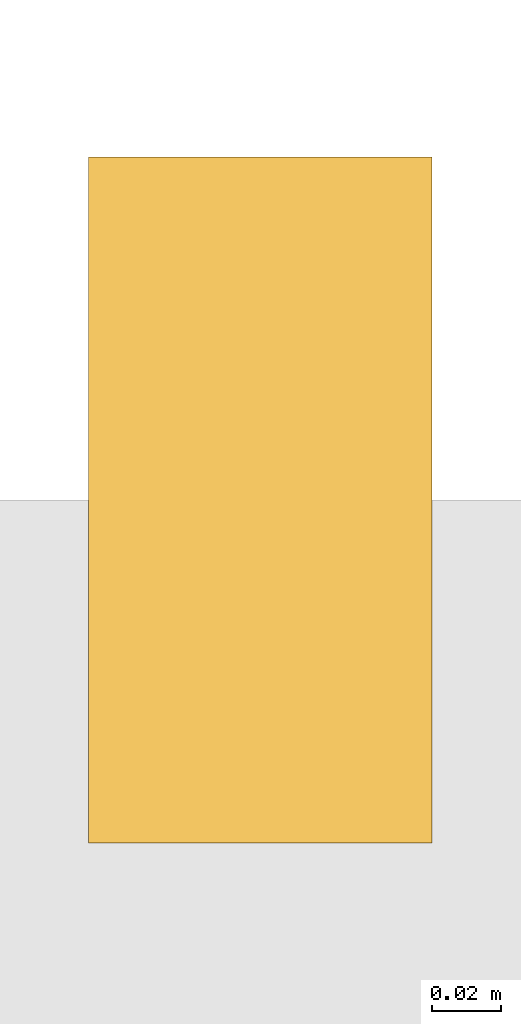
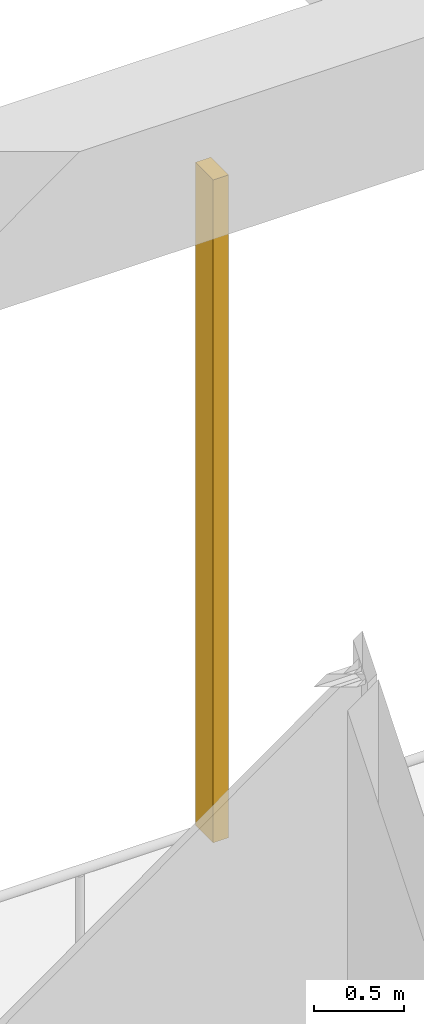
# One storey, part 27 of 32: 1 shading device.
"""IFC4 building model written with IfcOpenShell, lengths in metres."""

import ifcopenshell
import ifcopenshell.guid

model = None  # the IFC model being written
_history = None  # IfcOwnerHistory: only IFC2X3 demands one
_inside = {}  # id of a spatial element -> (the spatial element, [elements in it])
_under = {}  # id of a project, library or spatial element -> (it, [spatial elements below it])
_declared = {}  # id of a project -> (the project, [libraries it declares])
_typed = {}  # id of a type object -> (the type object, [elements of that type])
_made_of = {}  # id of a material, layer set ... -> (it, [elements and type objects made of it])


def new_model(schema):
    """Start an empty IFC model of exactly this schema.

    Asked for "IFC4X3", IfcOpenShell would pick the latest addendum, in which some entities
    have other attributes; the version numbers below select the first issue.
    IFC2X3 requires an IfcOwnerHistory on every rooted entity: one is made here for all.
    """
    global model, _history
    if schema == "IFC4X3":
        model = ifcopenshell.file(schema_version=(4, 3, 0, 0))
    else:
        model = ifcopenshell.file(schema=schema)
    _inside.clear()
    _under.clear()
    _declared.clear()
    _typed.clear()
    _made_of.clear()
    _history = None
    if model.schema == "IFC2X3":
        org = make("IfcOrganization", Name="unknown")
        user = make(
            "IfcPersonAndOrganization",
            ThePerson=make("IfcPerson", FamilyName="unknown"),
            TheOrganization=org,
        )
        app = make(
            "IfcApplication",
            ApplicationDeveloper=org,
            Version="unknown",
            ApplicationFullName="unknown",
            ApplicationIdentifier="unknown",
        )
        _history = make(
            "IfcOwnerHistory",
            OwningUser=user,
            OwningApplication=app,
            ChangeAction="ADDED",
            CreationDate=0,
        )
    return model


def make(cls, **values):
    """One entity of the class cls with the attributes given. An attribute that is None is left unset."""
    return model.create_entity(
        cls, **{name: value for name, value in values.items() if value is not None}
    )


def rooted(cls, **values):
    """An entity with a GlobalId (a new one), such as an element, a storey or a relation."""
    return make(cls, GlobalId=ifcopenshell.guid.new(), OwnerHistory=_history, **values)


def si_unit(unit_type, name, prefix=None):
    """IfcSIUnit, for example si_unit("LENGTHUNIT", "METRE", prefix="MILLI")."""
    return make("IfcSIUnit", UnitType=unit_type, Prefix=prefix, Name=name)


def assignment(units):
    """IfcUnitAssignment: the units of a project."""
    return None if units is None else make("IfcUnitAssignment", Units=units)


def point(xyz):
    """IfcCartesianPoint."""
    return None if xyz is None else make("IfcCartesianPoint", Coordinates=xyz)


def direction(xyz):
    """IfcDirection."""
    return None if xyz is None else make("IfcDirection", DirectionRatios=xyz)


def frame(location, z_axis=None, x_axis=None):
    """IfcAxis2Placement3D, a coordinate frame: its origin and axes. An axis left out is left unset."""
    return make(
        "IfcAxis2Placement3D",
        Location=point(location),
        Axis=direction(z_axis),
        RefDirection=direction(x_axis),
    )


def frame_2d(location, x_axis=None):
    """IfcAxis2Placement2D, a coordinate frame in the plane: its origin and x axis."""
    return make(
        "IfcAxis2Placement2D", Location=point(location), RefDirection=direction(x_axis)
    )


def origin():
    """The frame at (0, 0, 0) with its axes left unset."""
    return frame((0.0, 0.0, 0.0))


def origin_2d():
    """The frame at (0, 0) in the plane with its x axis left unset."""
    return frame_2d((0.0, 0.0))


def place(relative_to, where):
    """IfcLocalPlacement: puts the frame where relative to a parent placement (None: the world)."""
    return make(
        "IfcLocalPlacement", PlacementRelTo=relative_to, RelativePlacement=where
    )


def context(
    kind, dimensions, precision=None, world=None, true_north=None, identifier=None
):
    """IfcGeometricRepresentationContext, for example the 3D "Model" context."""
    return make(
        "IfcGeometricRepresentationContext",
        ContextIdentifier=identifier,
        ContextType=kind,
        CoordinateSpaceDimension=dimensions,
        Precision=precision,
        WorldCoordinateSystem=world,
        TrueNorth=true_north,
    )


def subcontext(parent, identifier, kind, view, scale=None):
    """IfcGeometricRepresentationSubContext, for example "Body" below "Model"."""
    return make(
        "IfcGeometricRepresentationSubContext",
        ContextIdentifier=identifier,
        ContextType=kind,
        ParentContext=parent,
        TargetScale=scale,
        TargetView=view,
    )


def project(units=None, contexts=None):
    """IfcProject with its units and contexts."""
    return rooted(
        "IfcProject",
        Name="project",
        RepresentationContexts=contexts,
        UnitsInContext=assignment(units),
    )


def spatial(cls, under=None, at=None, **own):
    """A site, building, storey or space (cls), placed at a placement, below another one or the project."""
    s = rooted(cls, ObjectPlacement=at, **own)
    if under is not None:
        _under.setdefault(under.id(), (under, []))[1].append(s)
    return s


def profile(cls, at=None, kind="AREA", **sizes):
    """A parametric profile (cls). Its sizes go by their IFC names, for example OverallWidth=200.0."""
    return make(cls, ProfileType=kind, Position=at, **sizes)


def rectangle(**sizes):
    """IfcRectangleProfileDef."""
    return profile("IfcRectangleProfileDef", **sizes)


def extrude(swept, where, along, depth):
    """IfcExtrudedAreaSolid: the profile swept, set in the frame where, extruded along a direction by depth."""
    return make(
        "IfcExtrudedAreaSolid",
        SweptArea=swept,
        Position=where,
        ExtrudedDirection=direction(along),
        Depth=depth,
    )


def shape(context_of_items, identifier, shape_type, items):
    """IfcShapeRepresentation: the items that make up one representation, for example the "Body"."""
    return make(
        "IfcShapeRepresentation",
        ContextOfItems=context_of_items,
        RepresentationIdentifier=identifier,
        RepresentationType=shape_type,
        Items=items,
    )


def material(Name=None, Category=None):
    """IfcMaterial."""
    return make("IfcMaterial", Name=Name, Category=Category)


def material_profile(
    of_material, cross_section, Name=None, Category=None, Priority=None
):
    """IfcMaterialProfile: a cross section and its material."""
    return make(
        "IfcMaterialProfile",
        Name=Name,
        Material=of_material,
        Profile=cross_section,
        Priority=Priority,
        Category=Category,
    )


def profile_set(profiles, Name=None, composite=None):
    """IfcMaterialProfileSet."""
    return make(
        "IfcMaterialProfileSet",
        Name=Name,
        MaterialProfiles=profiles,
        CompositeProfile=composite,
    )


def made_of(thing, what):
    """Note that an element or type object is made of a material, layer set ...; save() writes the relation."""
    if what is not None:
        _made_of.setdefault(what.id(), (what, []))[1].append(thing)
    return thing


def type_object(cls, material=None, **own):
    """A type object (cls), such as IfcWallType, which elements share."""
    return made_of(rooted(cls, **own), material)


def element(
    cls,
    number,
    at=None,
    inside=None,
    cuts=None,
    type_object=None,
    material=None,
    context=None,
    identifier="Body",
    shape_type=None,
    held_by="IfcProductDefinitionShape",
    body=None,
    shapes=None,
    **own,
):
    """One element of the class cls, such as IfcWall. Its Tag is "e" and its number.

    at: its placement. inside: the storey or other place that contains it. cuts: it is an
    opening in that element (IfcRelVoidsElement). A single representation is given by context,
    identifier, shape_type and body (its items); several are given by shapes. held_by: the class
    of the entity that holds the representations. save() writes the other relations.
    """
    e = rooted(cls, Tag="e%d" % number, ObjectPlacement=at, **own)
    if body is not None:
        shapes = [shape(context, identifier, shape_type, body)]
    if shapes is not None:
        e.Representation = make(held_by, Representations=shapes)
    if inside is not None:
        _inside.setdefault(inside.id(), (inside, []))[1].append(e)
    if cuts is not None:
        rooted(
            "IfcRelVoidsElement", RelatingBuildingElement=cuts, RelatedOpeningElement=e
        )
    if type_object is not None:
        _typed.setdefault(type_object.id(), (type_object, []))[1].append(e)
    return made_of(e, material)


def aggregate(whole, parts):
    """IfcRelAggregates: a whole, such as a stair, and the parts it consists of."""
    return rooted("IfcRelAggregates", RelatingObject=whole, RelatedObjects=parts)


def save(model, path):
    """Write the relations noted so far, then the file.

    IfcRelAggregates (storeys below a building ...), IfcRelContainedInSpatialStructure (elements
    in a storey), IfcRelDefinesByType, IfcRelAssociatesMaterial and IfcRelDeclares: one each for
    every whole, place, type object, material and project.
    """
    for whole, parts in _under.values():
        aggregate(whole, parts)
    for where, things in _inside.values():
        rooted(
            "IfcRelContainedInSpatialStructure",
            RelatedElements=things,
            RelatingStructure=where,
        )
    for kind, things in _typed.values():
        rooted("IfcRelDefinesByType", RelatedObjects=things, RelatingType=kind)
    for what, things in _made_of.values():
        rooted("IfcRelAssociatesMaterial", RelatedObjects=things, RelatingMaterial=what)
    for by, libraries in _declared.values():
        rooted("IfcRelDeclares", RelatingContext=by, RelatedDefinitions=libraries)
    model.write(path)


model = new_model("IFC4")

# Units and contexts
model_context = context("Model", 3, precision=1e-05, world=origin(), true_north=direction((0.0, 1.0)))
body_context = subcontext(model_context, "Body", "Model", "MODEL_VIEW")
ifc_project = project(units=[si_unit("LENGTHUNIT", "METRE"), si_unit("AREAUNIT", "SQUARE_METRE"), si_unit("VOLUMEUNIT", "CUBIC_METRE"), si_unit("PLANEANGLEUNIT", "RADIAN"), si_unit("MASSUNIT", "GRAM", prefix="KILO")], contexts=[model_context])

# Site, building, storey
site_placement = place(None, origin())
site = spatial("IfcSite", under=ifc_project, at=site_placement, CompositionType="ELEMENT")
building_placement = place(site_placement, origin())
building = spatial("IfcBuilding", under=site, at=building_placement, Name="Vermilion Gate Residences", CompositionType="ELEMENT")
storey_placement = place(building_placement, frame((0.0, 0.0, 19.800048828125)))
storey = spatial("IfcBuildingStorey", under=building, at=storey_placement, Name="L03", CompositionType="ELEMENT", Elevation=19.800048828125)

# Shading device
ifc_material = material(Name="Extruded terracotta", Category="masonry")
ifc_material_profile = material_profile(ifc_material, rectangle(XDim=0.199951171875, YDim=0.10009765625, at=origin_2d()), Name="BAGUETTE 100 X 200")
ifc_profile_set = profile_set([ifc_material_profile], Name="Extruded terracotta")
shading_device_type = type_object("IfcShadingDeviceType", Name="TERRACOTTA BAGUETTE 100 X 200", PredefinedType="JALOUSIE", material=ifc_profile_set)
shading_device_placement = place(storey_placement, frame((63.0, 25.5, -0.300048828125), z_axis=(0.0, 0.0, 1.0), x_axis=(0.0, -1.0, 0.0)))
element("IfcShadingDevice", 1, at=shading_device_placement, inside=storey, type_object=shading_device_type, Name="BAGUETTE", PredefinedType="JALOUSIE", context=body_context, shape_type="SweptSolid", body=[
    extrude(rectangle(XDim=0.199951171875, YDim=0.10009765625, at=origin_2d()), origin(), (0.0, 0.0, 1.0), 4.52001953125),
])

save(model, "model.ifc")
